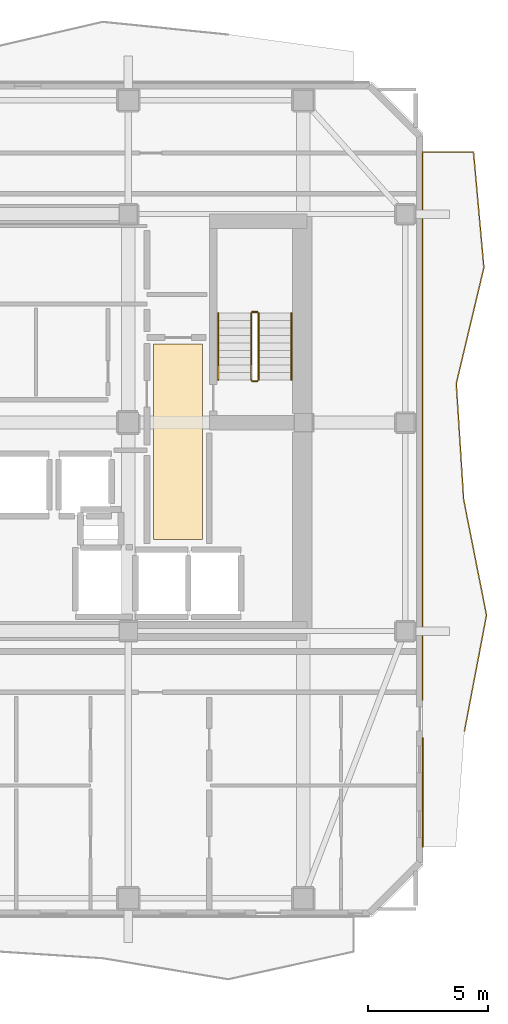
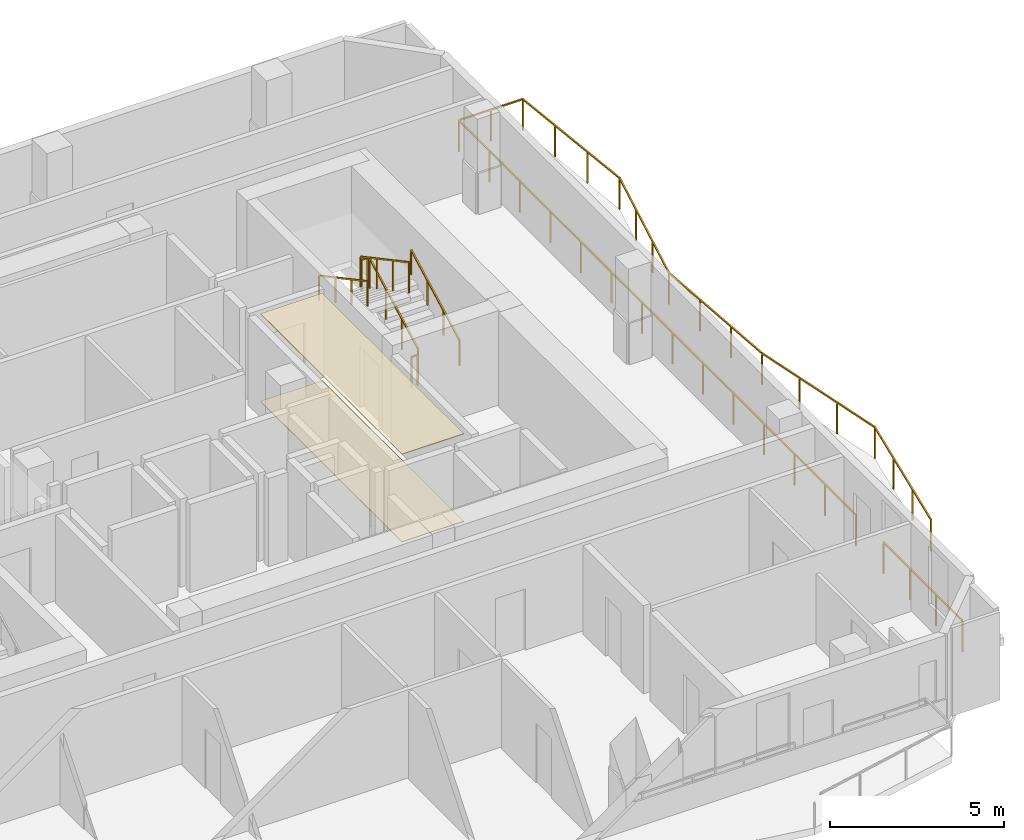
# One storey, part 9 of 10: 8 railings, 2 coverings.
"""IFC4 building model written with IfcOpenShell, lengths in metres."""

from ifc_helpers import new_model, si_unit, direction, frame, origin, origin_2d, place, context, subcontext, project, spatial, polyline, rectangle, outline, extrude, material, layer, layer_set, type_object, element, save


model = new_model("IFC4")

# Units and contexts
model_context = context("Model", 3, precision=1e-05, world=origin(), true_north=direction((0.0, 1.0)))
body_context = subcontext(model_context, "Body", "Model", "MODEL_VIEW")
ifc_project = project(units=[si_unit("LENGTHUNIT", "METRE"), si_unit("AREAUNIT", "SQUARE_METRE"), si_unit("VOLUMEUNIT", "CUBIC_METRE"), si_unit("PLANEANGLEUNIT", "RADIAN"), si_unit("MASSUNIT", "GRAM", prefix="KILO")], contexts=[model_context])

# Site, building, storey
site_placement = place(None, origin())
site = spatial("IfcSite", under=ifc_project, at=site_placement, CompositionType="ELEMENT")
building_placement = place(site_placement, origin())
building = spatial("IfcBuilding", under=site, at=building_placement, Name="Solanera Arch Residences", CompositionType="ELEMENT")
storey_placement = place(building_placement, frame((0.0, 0.0, 196.800048828125)))
storey = spatial("IfcBuildingStorey", under=building, at=storey_placement, Name="L57", CompositionType="ELEMENT", Elevation=196.800048828125)

# Railings
ifc_material_1 = material(Name="Steel S355 (ASTM A992 / A572 Grade 50)", Category="steel")
railing_type_1 = type_object("IfcRailingType", Name="Balustrade Railing BL-1100", PredefinedType="BALUSTRADE", material=ifc_material_1)
railing_1_placement = place(storey_placement, frame((43.22900390625, 17.8330078125, 0.0)))
element("IfcRailing", 1, at=railing_1_placement, inside=storey, type_object=railing_type_1, Name="L57 E Balcony Balustrade 1", PredefinedType="BALUSTRADE", context=body_context, shape_type="SweptSolid", body=[
    extrude(rectangle(XDim=0.048095703125, YDim=0.048095703125, at=origin_2d()), frame((0.0, 0.0, 1.09619140625), z_axis=(0.18713946542, 0.98233335507, 0.0), x_axis=(-0.98233335507, 0.18713946542, 0.0)), (0.0, 0.0, 1.0), 4.9208984375),
    extrude(rectangle(XDim=0.048095703125, YDim=0.048095703125, at=origin_2d()), frame((0.9208984375, 4.833984375, 1.09619140625), z_axis=(-0.194009576274, 0.980999635226, 0.0), x_axis=(-0.980999635226, -0.194009576274, 0.0)), (0.0, 0.0, 1.0), 4.926513671875),
    extrude(rectangle(XDim=0.048095703125, YDim=0.048095703125, at=origin_2d()), frame((-0.034912109375, 9.6669921875, 1.09619140625), z_axis=(-0.063219416227, 0.99799965201, 0.0), x_axis=(-0.99799965201, -0.063219416227, 0.0)), (0.0, 0.0, 1.0), 4.8427734375),
    extrude(rectangle(XDim=0.048095703125, YDim=0.048095703125, at=origin_2d()), frame((-0.341064453125, 14.5, 1.09619140625), z_axis=(0.231839704196, 0.97275400362, 0.0), x_axis=(-0.97275400362, 0.231839704196, 0.0)), (0.0, 0.0, 1.0), 4.969482421875),
    extrude(rectangle(XDim=0.048095703125, YDim=0.048095703125, at=origin_2d()), frame((0.81103515625, 19.333984375, 1.09619140625), z_axis=(-0.089456031175, 0.99599077229, 0.0), x_axis=(-0.99599077229, -0.089456031175, 0.0)), (0.0, 0.0, 1.0), 4.8525390625),
    extrude(rectangle(XDim=0.048095703125, YDim=0.048095703125, at=origin_2d()), frame((0.376953125, 24.1669921875, 1.09619140625), z_axis=(-1.0, 0.0, 0.0), x_axis=(0.0, -1.0, 0.0)), (0.0, 0.0, 1.0), 2.1259765625),
    extrude(rectangle(XDim=0.048095703125, YDim=0.048095703125, at=origin_2d()), frame((-1.7490234375, 24.1669921875, 1.09619140625), z_axis=(0.0, -1.0, 0.0), x_axis=(1.0, 0.0, 0.0)), (0.0, 0.0, 1.0), 22.863037109375),
    extrude(rectangle(XDim=0.0419921875, YDim=0.0419921875, at=origin_2d()), origin(), (0.0, 0.0, 1.0), 1.072021484375),
    extrude(rectangle(XDim=0.0419921875, YDim=0.0419921875, at=origin_2d()), frame((0.306884765625, 1.611328125, 0.0)), (0.0, 0.0, 1.0), 1.072021484375),
    extrude(rectangle(XDim=0.0419921875, YDim=0.0419921875, at=origin_2d()), frame((0.614013671875, 3.22265625, 0.0)), (0.0, 0.0, 1.0), 1.072021484375),
    extrude(rectangle(XDim=0.0419921875, YDim=0.0419921875, at=origin_2d()), frame((0.9208984375, 4.833984375, 0.0)), (0.0, 0.0, 1.0), 1.072021484375),
    extrude(rectangle(XDim=0.0419921875, YDim=0.0419921875, at=origin_2d()), frame((0.602294921875, 6.445068359375, 0.0)), (0.0, 0.0, 1.0), 1.072021484375),
    extrude(rectangle(XDim=0.0419921875, YDim=0.0419921875, at=origin_2d()), frame((0.28369140625, 8.055908203125, 0.0)), (0.0, 0.0, 1.0), 1.072021484375),
    extrude(rectangle(XDim=0.0419921875, YDim=0.0419921875, at=origin_2d()), frame((-0.034912109375, 9.6669921875, 0.0)), (0.0, 0.0, 1.0), 1.072021484375),
    extrude(rectangle(XDim=0.0419921875, YDim=0.0419921875, at=origin_2d()), frame((-0.136962890625, 11.278076171875, 0.0)), (0.0, 0.0, 1.0), 1.072021484375),
    extrude(rectangle(XDim=0.0419921875, YDim=0.0419921875, at=origin_2d()), frame((-0.239013671875, 12.888916015625, 0.0)), (0.0, 0.0, 1.0), 1.072021484375),
    extrude(rectangle(XDim=0.0419921875, YDim=0.0419921875, at=origin_2d()), frame((-0.341064453125, 14.5, 0.0)), (0.0, 0.0, 1.0), 1.072021484375),
    extrude(rectangle(XDim=0.0419921875, YDim=0.0419921875, at=origin_2d()), frame((0.04296875, 16.111328125, 0.0)), (0.0, 0.0, 1.0), 1.072021484375),
    extrude(rectangle(XDim=0.0419921875, YDim=0.0419921875, at=origin_2d()), frame((0.427001953125, 17.72265625, 0.0)), (0.0, 0.0, 1.0), 1.072021484375),
    extrude(rectangle(XDim=0.0419921875, YDim=0.0419921875, at=origin_2d()), frame((0.81103515625, 19.333984375, 0.0)), (0.0, 0.0, 1.0), 1.072021484375),
    extrude(rectangle(XDim=0.0419921875, YDim=0.0419921875, at=origin_2d()), frame((0.666259765625, 20.945068359375, 0.0)), (0.0, 0.0, 1.0), 1.072021484375),
    extrude(rectangle(XDim=0.0419921875, YDim=0.0419921875, at=origin_2d()), frame((0.521728515625, 22.555908203125, 0.0)), (0.0, 0.0, 1.0), 1.072021484375),
    extrude(rectangle(XDim=0.0419921875, YDim=0.0419921875, at=origin_2d()), frame((0.376953125, 24.1669921875, 0.0)), (0.0, 0.0, 1.0), 1.072021484375),
    extrude(rectangle(XDim=0.0419921875, YDim=0.0419921875, at=origin_2d()), frame((-0.68603515625, 24.1669921875, 0.0)), (0.0, 0.0, 1.0), 1.072021484375),
    extrude(rectangle(XDim=0.0419921875, YDim=0.0419921875, at=origin_2d()), frame((-1.7490234375, 24.1669921875, 0.0)), (0.0, 0.0, 1.0), 1.072021484375),
    extrude(rectangle(XDim=0.0419921875, YDim=0.0419921875, at=origin_2d()), frame((-1.7490234375, 22.408203125, 0.0)), (0.0, 0.0, 1.0), 1.072021484375),
    extrude(rectangle(XDim=0.0419921875, YDim=0.0419921875, at=origin_2d()), frame((-1.7490234375, 20.649658203125, 0.0)), (0.0, 0.0, 1.0), 1.072021484375),
    extrude(rectangle(XDim=0.0419921875, YDim=0.0419921875, at=origin_2d()), frame((-1.7490234375, 18.890869140625, 0.0)), (0.0, 0.0, 1.0), 1.072021484375),
    extrude(rectangle(XDim=0.0419921875, YDim=0.0419921875, at=origin_2d()), frame((-1.7490234375, 17.13232421875, 0.0)), (0.0, 0.0, 1.0), 1.072021484375),
    extrude(rectangle(XDim=0.0419921875, YDim=0.0419921875, at=origin_2d()), frame((-1.7490234375, 15.37353515625, 0.0)), (0.0, 0.0, 1.0), 1.072021484375),
    extrude(rectangle(XDim=0.0419921875, YDim=0.0419921875, at=origin_2d()), frame((-1.7490234375, 13.61474609375, 0.0)), (0.0, 0.0, 1.0), 1.072021484375),
    extrude(rectangle(XDim=0.0419921875, YDim=0.0419921875, at=origin_2d()), frame((-1.7490234375, 11.856201171875, 0.0)), (0.0, 0.0, 1.0), 1.072021484375),
    extrude(rectangle(XDim=0.0419921875, YDim=0.0419921875, at=origin_2d()), frame((-1.7490234375, 10.097412109375, 0.0)), (0.0, 0.0, 1.0), 1.072021484375),
    extrude(rectangle(XDim=0.0419921875, YDim=0.0419921875, at=origin_2d()), frame((-1.7490234375, 8.338623046875, 0.0)), (0.0, 0.0, 1.0), 1.072021484375),
    extrude(rectangle(XDim=0.0419921875, YDim=0.0419921875, at=origin_2d()), frame((-1.7490234375, 6.580078125, 0.0)), (0.0, 0.0, 1.0), 1.072021484375),
    extrude(rectangle(XDim=0.0419921875, YDim=0.0419921875, at=origin_2d()), frame((-1.7490234375, 4.8212890625, 0.0)), (0.0, 0.0, 1.0), 1.072021484375),
    extrude(rectangle(XDim=0.0419921875, YDim=0.0419921875, at=origin_2d()), frame((-1.7490234375, 3.062744140625, 0.0)), (0.0, 0.0, 1.0), 1.072021484375),
    extrude(rectangle(XDim=0.0419921875, YDim=0.0419921875, at=origin_2d()), frame((-1.7490234375, 1.303955078125, 0.0)), (0.0, 0.0, 1.0), 1.072021484375),
])
railing_2_placement = place(storey_placement, frame((41.47998046875, 17.537109375, 0.0)))
element("IfcRailing", 2, at=railing_2_placement, inside=storey, type_object=railing_type_1, Name="L57 E Balcony Balustrade 2", PredefinedType="BALUSTRADE", context=body_context, shape_type="SweptSolid", body=[
    extrude(rectangle(XDim=0.048095703125, YDim=0.048095703125, at=origin_2d()), frame((0.0, 0.0, 1.09619140625), z_axis=(0.0, -1.0, 0.0), x_axis=(1.0, 0.0, 0.0)), (0.0, 0.0, 1.0), 4.537109375),
    extrude(rectangle(XDim=0.0419921875, YDim=0.0419921875, at=origin_2d()), origin(), (0.0, 0.0, 1.0), 1.072021484375),
    extrude(rectangle(XDim=0.0419921875, YDim=0.0419921875, at=origin_2d()), frame((0.0, -1.512451171875, 0.0)), (0.0, 0.0, 1.0), 1.072021484375),
    extrude(rectangle(XDim=0.0419921875, YDim=0.0419921875, at=origin_2d()), frame((0.0, -3.024658203125, 0.0)), (0.0, 0.0, 1.0), 1.072021484375),
    extrude(rectangle(XDim=0.0419921875, YDim=0.0419921875, at=origin_2d()), frame((0.0, -4.537109375, 0.0)), (0.0, 0.0, 1.0), 1.072021484375),
])

# Covering
ifc_material_2 = material(Name="Porcelain Acoustic Floor Tile", Category="ceramic")
ifc_layer_1 = layer(ifc_material_2, 0.02001953125)
ifc_layer_set_1 = layer_set([ifc_layer_1], Name="Porcelain Acoustic Floor Tile")
covering_type_1 = type_object("IfcCoveringType", Name="Porcelain Acoustic Floor Finish FLR-20", PredefinedType="FLOORING", material=ifc_layer_set_1)
covering_1_placement = place(storey_placement, origin())
element("IfcCovering", 3, at=covering_1_placement, inside=storey, type_object=covering_type_1, Name="L57-FFL-E Porcelain Floor Finish", PredefinedType="FLOORING", context=body_context, shape_type="SweptSolid", body=[
    extrude(outline(polyline([(32.304931640625, 25.824951171875), (30.25, 25.824951171875), (30.25, 33.97509765625), (32.304931640625, 33.97509765625), (32.304931640625, 25.824951171875)])), origin(), (0.0, 0.0, 1.0), 0.02001953125),
])

# Railings
ifc_material_3 = material(Name="Steel S355 (ASTM A992 / A572 Grade 50)", Category="steel")
railing_type_2 = type_object("IfcRailingType", Name="Stair Guardrail GR-1100", PredefinedType="GUARDRAIL", material=ifc_material_3)
railing_3_placement = place(storey_placement, frame((34.6298828125, 32.47998046875, 0.15087890625)))
element("IfcRailing", 4, at=railing_3_placement, inside=storey, type_object=railing_type_2, Name="L57 ST-T2 stair guard 1", PredefinedType="GUARDRAIL", context=body_context, shape_type="SweptSolid", body=[
    extrude(rectangle(XDim=0.048095703125, YDim=0.048095703125, at=origin_2d()), frame((0.0, 0.0, 1.076171875), z_axis=(0.0, 0.881548766853, 0.472092969298), x_axis=(-1.0, 0.0, 0.0)), (0.0, 0.0, 1.0), 3.1650390625),
    extrude(rectangle(XDim=0.0419921875, YDim=0.0419921875, at=origin_2d()), origin(), (0.0, 0.0, 1.0), 1.052001953125),
    extrude(rectangle(XDim=0.0419921875, YDim=0.0419921875, at=origin_2d()), frame((0.0, 0.929931640625, 0.498046875)), (0.0, 0.0, 1.0), 1.052001953125),
    extrude(rectangle(XDim=0.0419921875, YDim=0.0419921875, at=origin_2d()), frame((0.0, 1.860107421875, 0.99609375)), (0.0, 0.0, 1.0), 1.052001953125),
    extrude(rectangle(XDim=0.0419921875, YDim=0.0419921875, at=origin_2d()), frame((0.0, 2.7900390625, 1.494140625)), (0.0, 0.0, 1.0), 1.052001953125),
])
railing_4_placement = place(storey_placement, frame((34.580078125, 35.320068359375, 1.64501953125)))
element("IfcRailing", 5, at=railing_4_placement, inside=storey, type_object=railing_type_2, Name="L57 ST-T2 stair guard 2", PredefinedType="GUARDRAIL", context=body_context, shape_type="SweptSolid", body=[
    extrude(rectangle(XDim=0.048095703125, YDim=0.048095703125, at=origin_2d()), frame((0.0, 0.0, 1.076171875), z_axis=(-1.0, 0.0, 0.0), x_axis=(0.0, -1.0, 0.0)), (0.0, 0.0, 1.0), 0.2001953125),
    extrude(rectangle(XDim=0.0419921875, YDim=0.0419921875, at=origin_2d()), origin(), (0.0, 0.0, 1.0), 1.052001953125),
    extrude(rectangle(XDim=0.0419921875, YDim=0.0419921875, at=origin_2d()), frame((-0.2001953125, 0.0, 0.0)), (0.0, 0.0, 1.0), 1.052001953125),
])
railing_5_placement = place(storey_placement, frame((34.330078125, 35.27001953125, 1.81103515625)))
element("IfcRailing", 6, at=railing_5_placement, inside=storey, type_object=railing_type_2, Name="L57 ST-T2 stair guard 3", PredefinedType="GUARDRAIL", context=body_context, shape_type="SweptSolid", body=[
    extrude(rectangle(XDim=0.048095703125, YDim=0.048095703125, at=origin_2d()), frame((0.0, 0.0, 1.076171875), z_axis=(0.0, -0.881580869306, 0.472033018838), x_axis=(1.0, 0.0, 0.0)), (0.0, 0.0, 1.0), 3.164794921875),
    extrude(rectangle(XDim=0.0419921875, YDim=0.0419921875, at=origin_2d()), origin(), (0.0, 0.0, 1.0), 1.052001953125),
    extrude(rectangle(XDim=0.0419921875, YDim=0.0419921875, at=origin_2d()), frame((0.0, -0.929931640625, 0.498046875)), (0.0, 0.0, 1.0), 1.052001953125),
    extrude(rectangle(XDim=0.0419921875, YDim=0.0419921875, at=origin_2d()), frame((0.0, -1.860107421875, 0.995849609375)), (0.0, 0.0, 1.0), 1.052001953125),
    extrude(rectangle(XDim=0.0419921875, YDim=0.0419921875, at=origin_2d()), frame((0.0, -2.7900390625, 1.493896484375)), (0.0, 0.0, 1.0), 1.052001953125),
])
railing_6_placement = place(storey_placement, frame((34.580078125, 32.429931640625, -0.01513671875)))
element("IfcRailing", 7, at=railing_6_placement, inside=storey, type_object=railing_type_2, Name="L57 ST-T2 stair guard 4", PredefinedType="GUARDRAIL", context=body_context, shape_type="SweptSolid", body=[
    extrude(rectangle(XDim=0.048095703125, YDim=0.048095703125, at=origin_2d()), frame((0.0, 0.0, 1.076171875), z_axis=(-1.0, 0.0, 0.0), x_axis=(0.0, -1.0, 0.0)), (0.0, 0.0, 1.0), 0.2001953125),
    extrude(rectangle(XDim=0.0419921875, YDim=0.0419921875, at=origin_2d()), origin(), (0.0, 0.0, 1.0), 1.052001953125),
    extrude(rectangle(XDim=0.0419921875, YDim=0.0419921875, at=origin_2d()), frame((-0.2001953125, 0.0, 0.0)), (0.0, 0.0, 1.0), 1.052001953125),
])
ifc_material_4 = material(Name="Steel S355 (ASTM A992 / A572 Grade 50)", Category="steel")
railing_type_3 = type_object("IfcRailingType", Name="Stair Wall Handrail HR-920", PredefinedType="HANDRAIL", material=ifc_material_4)
railing_7_placement = place(storey_placement, frame((36.010009765625, 32.47998046875, 0.166015625)))
element("IfcRailing", 8, at=railing_7_placement, inside=storey, type_object=railing_type_3, Name="L57 ST-T2 stair handrail 1", PredefinedType="HANDRAIL", context=body_context, shape_type="SweptSolid", body=[
    extrude(rectangle(XDim=0.048095703125, YDim=0.048095703125, at=origin_2d()), frame((0.0, 0.0, 0.8759765625), z_axis=(0.0, 0.881580869306, 0.472033018838), x_axis=(-1.0, 0.0, 0.0)), (0.0, 0.0, 1.0), 3.164794921875),
    extrude(rectangle(XDim=0.0419921875, YDim=0.0419921875, at=origin_2d()), origin(), (0.0, 0.0, 1.0), 0.851806640625),
    extrude(rectangle(XDim=0.0419921875, YDim=0.0419921875, at=origin_2d()), frame((0.0, 0.929931640625, 0.498046875)), (0.0, 0.0, 1.0), 0.851806640625),
    extrude(rectangle(XDim=0.0419921875, YDim=0.0419921875, at=origin_2d()), frame((0.0, 1.860107421875, 0.995849609375)), (0.0, 0.0, 1.0), 0.851806640625),
    extrude(rectangle(XDim=0.0419921875, YDim=0.0419921875, at=origin_2d()), frame((0.0, 2.7900390625, 1.493896484375)), (0.0, 0.0, 1.0), 0.851806640625),
])
railing_8_placement = place(storey_placement, frame((32.949951171875, 35.27001953125, 1.825927734375)))
element("IfcRailing", 9, at=railing_8_placement, inside=storey, type_object=railing_type_3, Name="L57 ST-T2 stair handrail 2", PredefinedType="HANDRAIL", context=body_context, shape_type="SweptSolid", body=[
    extrude(rectangle(XDim=0.048095703125, YDim=0.048095703125, at=origin_2d()), frame((0.0, 0.0, 0.8759765625), z_axis=(0.0, -0.881548766853, 0.472092969298), x_axis=(1.0, 0.0, 0.0)), (0.0, 0.0, 1.0), 3.1650390625),
    extrude(rectangle(XDim=0.0419921875, YDim=0.0419921875, at=origin_2d()), origin(), (0.0, 0.0, 1.0), 0.851806640625),
    extrude(rectangle(XDim=0.0419921875, YDim=0.0419921875, at=origin_2d()), frame((0.0, -0.929931640625, 0.498046875)), (0.0, 0.0, 1.0), 0.851806640625),
    extrude(rectangle(XDim=0.0419921875, YDim=0.0419921875, at=origin_2d()), frame((0.0, -1.860107421875, 0.99609375)), (0.0, 0.0, 1.0), 0.851806640625),
    extrude(rectangle(XDim=0.0419921875, YDim=0.0419921875, at=origin_2d()), frame((0.0, -2.7900390625, 1.494140625)), (0.0, 0.0, 1.0), 0.851806640625),
])

# Covering
ifc_material_5 = material(Name="Mineral Fibre Acoustic Ceiling Board", Category="gypsum")
ifc_layer_2 = layer(ifc_material_5, 0.02490234375)
ifc_layer_set_2 = layer_set([ifc_layer_2], Name="Mineral Fibre Acoustic Ceiling Board")
covering_type_2 = type_object("IfcCoveringType", Name="Suspended Acoustic Ceiling Board CLG-25", PredefinedType="CEILING", material=ifc_layer_set_2)
covering_2_placement = place(storey_placement, frame((0.0, 0.0, 3.074951171875)))
element("IfcCovering", 10, at=covering_2_placement, inside=storey, type_object=covering_type_2, Name="L57-FFL-E Acoustic Ceiling", PredefinedType="CEILING", context=body_context, shape_type="SweptSolid", body=[
    extrude(outline(polyline([(32.304931640625, 25.824951171875), (30.25, 25.824951171875), (30.25, 33.97509765625), (32.304931640625, 33.97509765625), (32.304931640625, 25.824951171875)])), origin(), (0.0, 0.0, 1.0), 0.02490234375),
])

save(model, "model.ifc")
